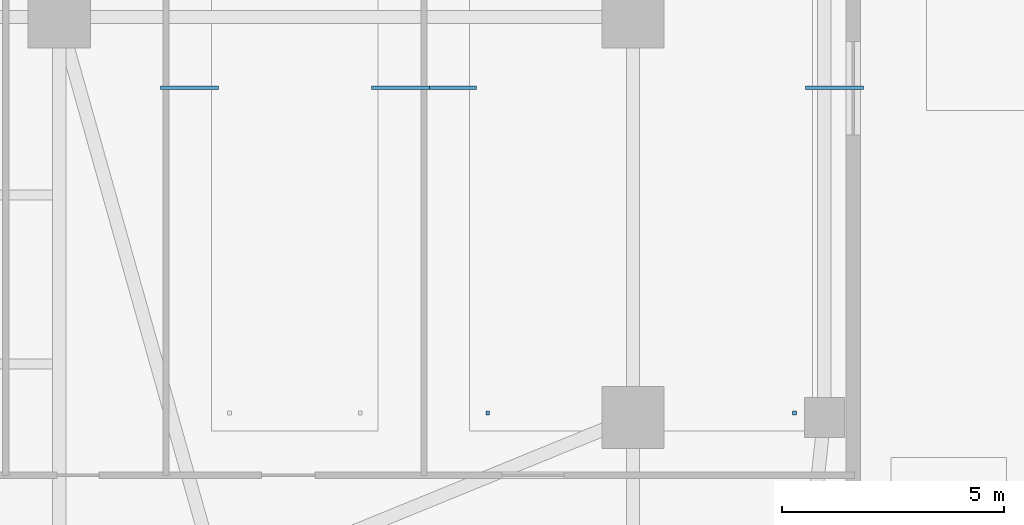
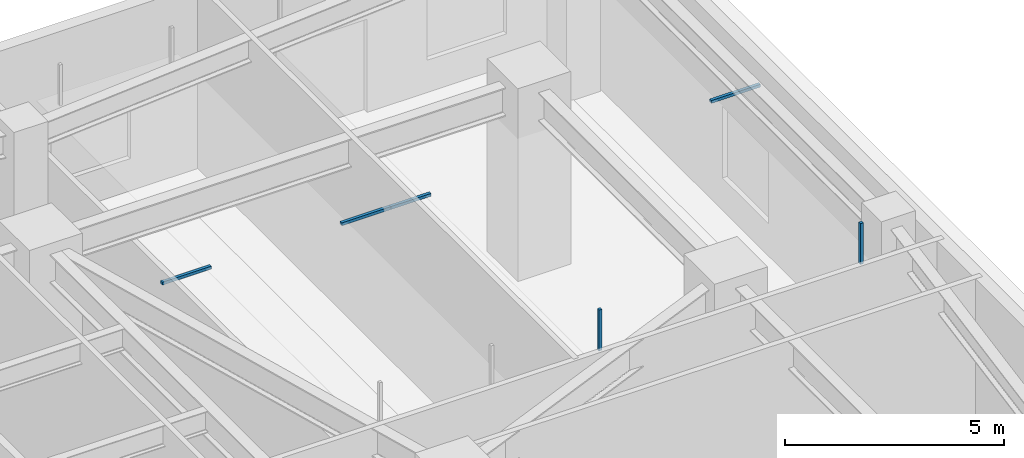
# One storey, part 10 of 18: 6 discrete accessories.
"""IFC4 building model written with IfcOpenShell, lengths in metres."""

from ifc_helpers import new_model, si_unit, direction, frame, origin, origin_2d, place, context, subcontext, project, spatial, rectangle, extrude, material, type_object, element, save


model = new_model("IFC4")

# Units and contexts
model_context = context("Model", 3, precision=1e-05, world=origin(), true_north=direction((0.0, 1.0)))
body_context = subcontext(model_context, "Body", "Model", "MODEL_VIEW")
ifc_project = project(units=[si_unit("LENGTHUNIT", "METRE"), si_unit("AREAUNIT", "SQUARE_METRE"), si_unit("VOLUMEUNIT", "CUBIC_METRE"), si_unit("PLANEANGLEUNIT", "RADIAN"), si_unit("MASSUNIT", "GRAM", prefix="KILO")], contexts=[model_context])

# Site, building, storey
site_placement = place(None, origin())
site = spatial("IfcSite", under=ifc_project, at=site_placement, CompositionType="ELEMENT")
building_placement = place(site_placement, origin())
building = spatial("IfcBuilding", under=site, at=building_placement, Name="Tarnavaz Court Tower", CompositionType="ELEMENT")
storey_placement = place(building_placement, origin())
storey = spatial("IfcBuildingStorey", under=building, at=storey_placement, Name="L00", CompositionType="ELEMENT", Elevation=0.0)

# Discrete accessories
ifc_material = material(Name="Anodised Aluminium 6063-T6", Category="aluminium")
discrete_accessory_type = type_object("IfcDiscreteAccessoryType", Name="DA-BRKT-ALU", PredefinedType="BRACKET", material=ifc_material)
for number, where, z_axis, x_axis, name in (
    (1, (17.929931640625, 21.215087890625, 3.952392578125), (0.0, 0.0, 1.0), (1.0, 0.0, 0.0), "L00 Ceiling Perimeter Wall-Tie Bracket 03-1"),
    (2, (22.669921875, 21.215087890625, 3.952392578125), (0.0, 0.0, 1.0), (1.0, 0.0, 0.0), "L00 Ceiling Perimeter Wall-Tie Bracket 03-2"),
):
    element("IfcDiscreteAccessory", number, at=place(storey_placement, frame(where, z_axis=z_axis, x_axis=x_axis)), inside=storey, type_object=discrete_accessory_type, Name=name, PredefinedType="BRACKET", context=body_context, shape_type="SweptSolid", body=[
        extrude(rectangle(XDim=1.300048828125, YDim=0.080078125, at=origin_2d()), origin(), (0.0, 0.0, 1.0), 0.080078125),
    ])
for number, where, z_axis, x_axis, name in (
    (3, (24.6298828125, 13.89990234375, 3.990234375), (0.0, 0.0, 1.0), (1.0, 0.0, 0.0), "L00 Ceiling Suspension Hanger Bracket 04-1"),
    (4, (31.530029296875, 13.89990234375, 3.990234375), (0.0, 0.0, 1.0), (1.0, 0.0, 0.0), "L00 Ceiling Suspension Hanger Bracket 04-2"),
):
    element("IfcDiscreteAccessory", number, at=place(storey_placement, frame(where, z_axis=z_axis, x_axis=x_axis)), inside=storey, type_object=discrete_accessory_type, Name=name, PredefinedType="BRACKET", context=body_context, shape_type="SweptSolid", body=[
        extrude(rectangle(XDim=0.080078125, YDim=0.080078125, at=origin_2d()), origin(), (0.0, 0.0, 1.0), 1.139892578125),
    ])
for number, where, z_axis, x_axis, name in (
    (5, (23.72998046875, 21.215087890625, 3.952392578125), (0.0, 0.0, 1.0), (1.0, 0.0, 0.0), "L00 Ceiling Perimeter Wall-Tie Bracket 04-1"),
    (6, (32.429931640625, 21.215087890625, 3.952392578125), (0.0, 0.0, 1.0), (1.0, 0.0, 0.0), "L00 Ceiling Perimeter Wall-Tie Bracket 04-2"),
):
    element("IfcDiscreteAccessory", number, at=place(storey_placement, frame(where, z_axis=z_axis, x_axis=x_axis)), inside=storey, type_object=discrete_accessory_type, Name=name, PredefinedType="BRACKET", context=body_context, shape_type="SweptSolid", body=[
        extrude(rectangle(XDim=1.300048828125, YDim=0.080078125, at=origin_2d()), origin(), (0.0, 0.0, 1.0), 0.080078125),
    ])

save(model, "model.ifc")
